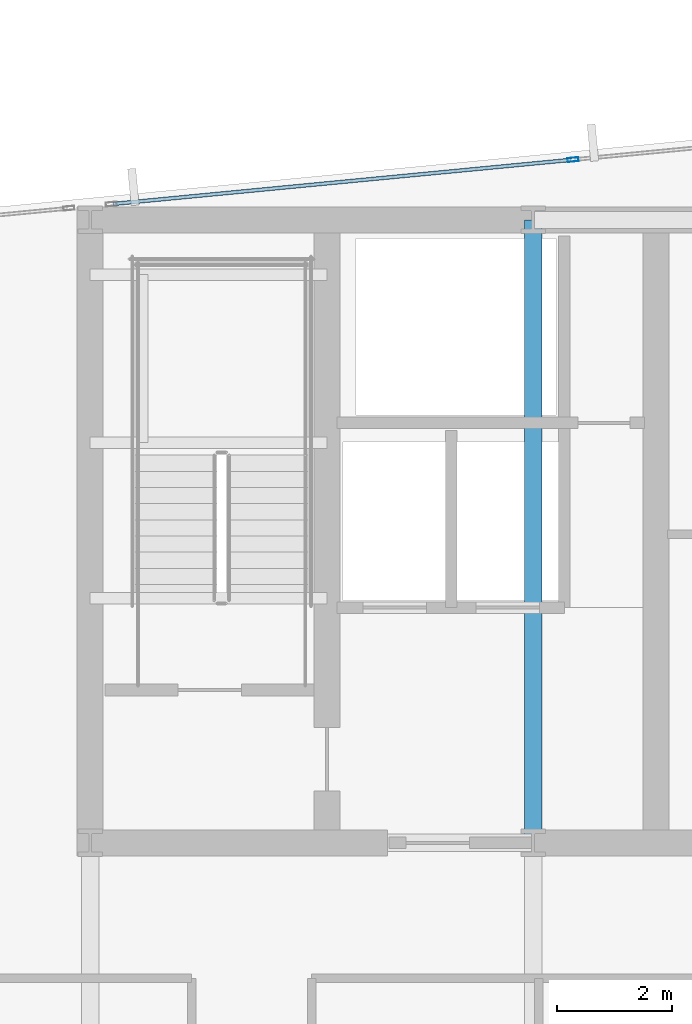
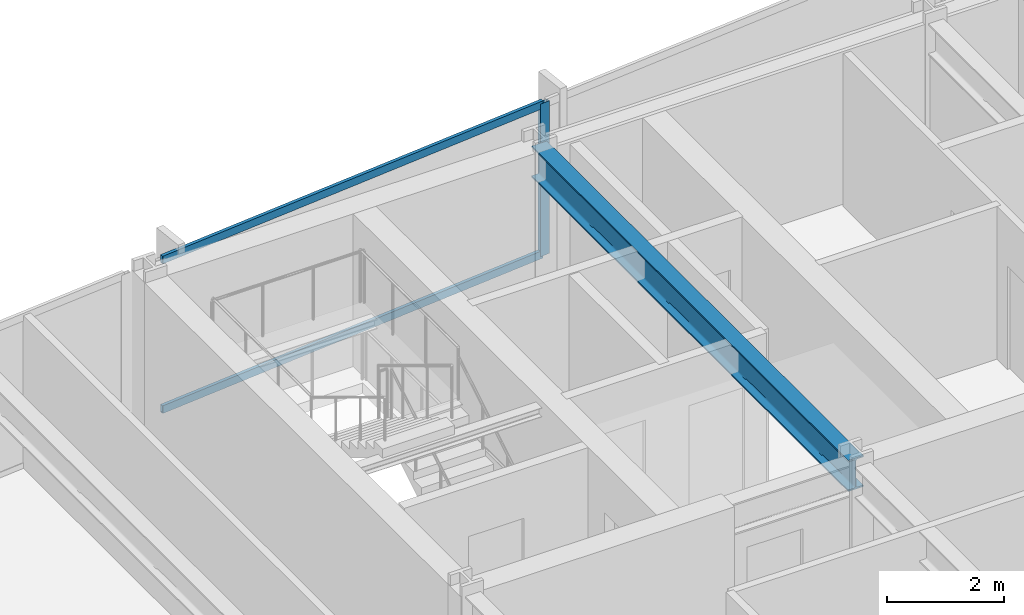
# One storey, part 18 of 33: 3 members, 1 beam, 1 element without a shape of its own.
"""IFC4 building model written with IfcOpenShell, lengths in metres."""

from ifc_helpers import new_model, si_unit, direction, frame, origin, origin_2d, place, context, subcontext, project, spatial, hollow_rectangle, i_section, extrude, material, material_profile, profile_set, type_object, element, aggregate, save


model = new_model("IFC4")

# Units and contexts
model_context = context("Model", 3, precision=1e-05, world=origin(), true_north=direction((0.0, 1.0)))
body_context = subcontext(model_context, "Body", "Model", "MODEL_VIEW")
ifc_project = project(units=[si_unit("LENGTHUNIT", "METRE"), si_unit("AREAUNIT", "SQUARE_METRE"), si_unit("VOLUMEUNIT", "CUBIC_METRE"), si_unit("PLANEANGLEUNIT", "RADIAN"), si_unit("MASSUNIT", "GRAM", prefix="KILO")], contexts=[model_context])

# Site, building, storey
site_placement = place(None, origin())
site = spatial("IfcSite", under=ifc_project, at=site_placement, CompositionType="ELEMENT")
building_placement = place(site_placement, origin())
building = spatial("IfcBuilding", under=site, at=building_placement, Name="Yelkora Congress Tower", CompositionType="ELEMENT")
storey_placement = place(building_placement, frame((0.0, 0.0, 123.699951171875)))
storey = spatial("IfcBuildingStorey", under=building, at=storey_placement, Name="L33", CompositionType="ELEMENT", Elevation=123.699951171875)

# Beam
ifc_material_1 = material(Name="Steel S355J2", Category="steel")
ifc_material_profile_1 = material_profile(ifc_material_1, i_section(OverallWidth=0.300048828125, OverallDepth=0.64990234375, WebThickness=0.01611328125, FlangeThickness=0.031005859375, FilletRadius=0.027099609375, at=origin_2d()), Name="HEB 650")
ifc_profile_set_1 = profile_set([ifc_material_profile_1], Name="Steel S355J2")
beam_type = type_object("IfcBeamType", Name="BM-GIRD-HEB650", PredefinedType="BEAM", material=ifc_profile_set_1)
beam_placement = place(storey_placement, frame((30.719970703125, 35.39990234375, 2.85498046875), z_axis=(0.0, 1.0, 0.0), x_axis=(-1.0, 0.0, 0.0)))
element("IfcBeam", 1, at=beam_placement, inside=storey, type_object=beam_type, Name="L33 Core Tie Girder MC-S2", PredefinedType="BEAM", context=body_context, shape_type="SweptSolid", body=[
    extrude(i_section(OverallWidth=0.300048828125, OverallDepth=0.64990234375, WebThickness=0.01611328125, FlangeThickness=0.031005859375, FilletRadius=0.027099609375, at=origin_2d()), origin(), (0.0, 0.0, 1.0), 10.800048828125),
])

# Curtain wall, members
ifc_material_2 = material(Name="Anodised aluminium and insulated glass", Category="aluminium")
curtain_wall_type = type_object("IfcCurtainWallType", Name="CW-SYS-B2", PredefinedType="NOTDEFINED", material=ifc_material_2)
curtain_wall_placement = place(storey_placement, origin())
curtain_wall = element("IfcCurtainWall", 2, at=curtain_wall_placement, inside=storey, type_object=curtain_wall_type, Name="L33 Unitised Curtain Wall 10 (3)", PredefinedType="NOTDEFINED")
ifc_material_3 = material(Name="Anodised aluminium 6063-T6", Category="aluminium")
ifc_material_profile_2 = material_profile(ifc_material_3, hollow_rectangle(XDim=0.070068359375, YDim=0.18994140625, WallThickness=0.00390625, at=origin_2d()), Name="ALU 70x190x4")
ifc_profile_set_2 = profile_set([ifc_material_profile_2], Name="Anodised aluminium 6063-T6")
member_type_1 = type_object("IfcMemberType", Name="MEM-ML-B2", PredefinedType="MULLION", material=ifc_profile_set_2)
member_1_placement = place(storey_placement, frame((31.411865234375, 47.244140625, 0.0), z_axis=(0.0, 0.0, 1.0), x_axis=(-0.095844238468, 0.995396344153, 0.0)))
member_1 = element("IfcMember", 3, at=member_1_placement, type_object=member_type_1, Name="CW-B2 mullion 2", PredefinedType="MULLION", context=body_context, shape_type="SweptSolid", body=[
    extrude(hollow_rectangle(XDim=0.070068359375, YDim=0.18994140625, WallThickness=0.00390625, at=origin_2d()), origin(), (0.0, 0.0, 1.0), 3.179931640625),
])
ifc_material_profile_3 = material_profile(ifc_material_3, hollow_rectangle(XDim=0.06494140625, YDim=0.159912109375, WallThickness=0.00390625, at=origin_2d()), Name="ALU 65x160x4")
ifc_profile_set_3 = profile_set([ifc_material_profile_3], Name="Anodised aluminium 6063-T6")
member_type_2 = type_object("IfcMemberType", Name="MEM-TR-B2", PredefinedType="USERDEFINED", material=ifc_profile_set_3)
member_2_placement = place(storey_placement, frame((23.441650390625, 46.476806640625, 0.032470703125), z_axis=(0.995398474706, 0.09582210889, 0.0), x_axis=(-0.09582210889, 0.995398474706, 0.0)))
member_2 = element("IfcMember", 4, at=member_2_placement, type_object=member_type_2, Name="CW-B2 transom 1.1", ObjectType="TRANSOM", PredefinedType="USERDEFINED", context=body_context, shape_type="SweptSolid", body=[
    extrude(hollow_rectangle(XDim=0.06494140625, YDim=0.159912109375, WallThickness=0.00390625, at=origin_2d()), origin(), (0.0, 0.0, 1.0), 7.97216796875),
])
member_3_placement = place(storey_placement, frame((23.441650390625, 46.476806640625, 3.1474609375), z_axis=(0.995398474706, 0.09582210889, 0.0), x_axis=(-0.09582210889, 0.995398474706, 0.0)))
member_3 = element("IfcMember", 5, at=member_3_placement, type_object=member_type_2, Name="CW-B2 transom 1.2", ObjectType="TRANSOM", PredefinedType="USERDEFINED", context=body_context, shape_type="SweptSolid", body=[
    extrude(hollow_rectangle(XDim=0.06494140625, YDim=0.159912109375, WallThickness=0.00390625, at=origin_2d()), origin(), (0.0, 0.0, 1.0), 7.97216796875),
])
aggregate(curtain_wall, [member_1, member_2, member_3])

save(model, "model.ifc")
